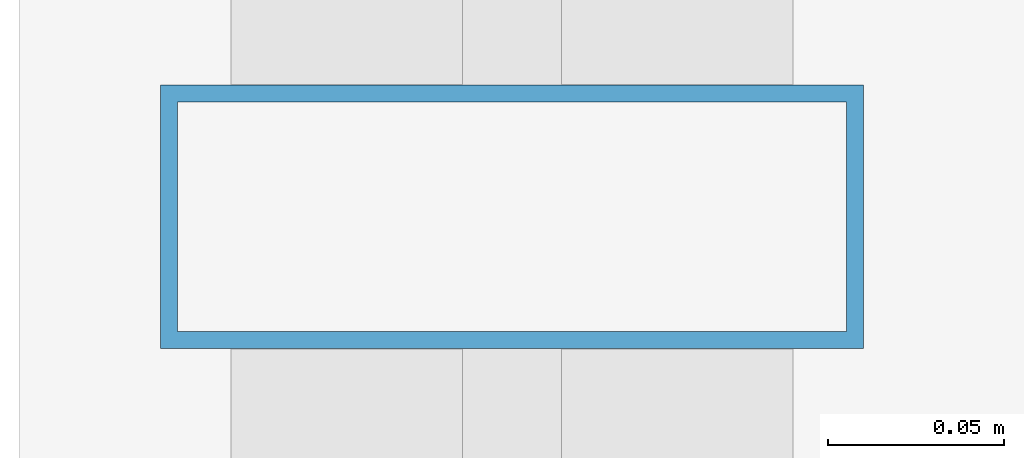
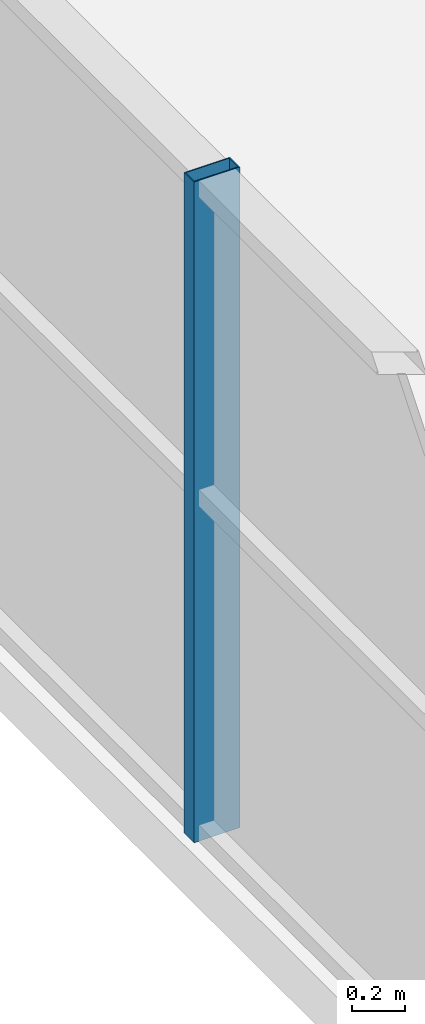
# One storey, part 8 of 29: 1 member, 1 element without a shape of its own.
"""IFC4 building model written with IfcOpenShell, lengths in metres."""

import ifcopenshell
import ifcopenshell.guid

model = None  # the IFC model being written
_history = None  # IfcOwnerHistory: only IFC2X3 demands one
_inside = {}  # id of a spatial element -> (the spatial element, [elements in it])
_under = {}  # id of a project, library or spatial element -> (it, [spatial elements below it])
_declared = {}  # id of a project -> (the project, [libraries it declares])
_typed = {}  # id of a type object -> (the type object, [elements of that type])
_made_of = {}  # id of a material, layer set ... -> (it, [elements and type objects made of it])


def new_model(schema):
    """Start an empty IFC model of exactly this schema.

    Asked for "IFC4X3", IfcOpenShell would pick the latest addendum, in which some entities
    have other attributes; the version numbers below select the first issue.
    IFC2X3 requires an IfcOwnerHistory on every rooted entity: one is made here for all.
    """
    global model, _history
    if schema == "IFC4X3":
        model = ifcopenshell.file(schema_version=(4, 3, 0, 0))
    else:
        model = ifcopenshell.file(schema=schema)
    _inside.clear()
    _under.clear()
    _declared.clear()
    _typed.clear()
    _made_of.clear()
    _history = None
    if model.schema == "IFC2X3":
        org = make("IfcOrganization", Name="unknown")
        user = make(
            "IfcPersonAndOrganization",
            ThePerson=make("IfcPerson", FamilyName="unknown"),
            TheOrganization=org,
        )
        app = make(
            "IfcApplication",
            ApplicationDeveloper=org,
            Version="unknown",
            ApplicationFullName="unknown",
            ApplicationIdentifier="unknown",
        )
        _history = make(
            "IfcOwnerHistory",
            OwningUser=user,
            OwningApplication=app,
            ChangeAction="ADDED",
            CreationDate=0,
        )
    return model


def make(cls, **values):
    """One entity of the class cls with the attributes given. An attribute that is None is left unset."""
    return model.create_entity(
        cls, **{name: value for name, value in values.items() if value is not None}
    )


def rooted(cls, **values):
    """An entity with a GlobalId (a new one), such as an element, a storey or a relation."""
    return make(cls, GlobalId=ifcopenshell.guid.new(), OwnerHistory=_history, **values)


def si_unit(unit_type, name, prefix=None):
    """IfcSIUnit, for example si_unit("LENGTHUNIT", "METRE", prefix="MILLI")."""
    return make("IfcSIUnit", UnitType=unit_type, Prefix=prefix, Name=name)


def assignment(units):
    """IfcUnitAssignment: the units of a project."""
    return None if units is None else make("IfcUnitAssignment", Units=units)


def point(xyz):
    """IfcCartesianPoint."""
    return None if xyz is None else make("IfcCartesianPoint", Coordinates=xyz)


def direction(xyz):
    """IfcDirection."""
    return None if xyz is None else make("IfcDirection", DirectionRatios=xyz)


def frame(location, z_axis=None, x_axis=None):
    """IfcAxis2Placement3D, a coordinate frame: its origin and axes. An axis left out is left unset."""
    return make(
        "IfcAxis2Placement3D",
        Location=point(location),
        Axis=direction(z_axis),
        RefDirection=direction(x_axis),
    )


def frame_2d(location, x_axis=None):
    """IfcAxis2Placement2D, a coordinate frame in the plane: its origin and x axis."""
    return make(
        "IfcAxis2Placement2D", Location=point(location), RefDirection=direction(x_axis)
    )


def origin():
    """The frame at (0, 0, 0) with its axes left unset."""
    return frame((0.0, 0.0, 0.0))


def origin_2d():
    """The frame at (0, 0) in the plane with its x axis left unset."""
    return frame_2d((0.0, 0.0))


def place(relative_to, where):
    """IfcLocalPlacement: puts the frame where relative to a parent placement (None: the world)."""
    return make(
        "IfcLocalPlacement", PlacementRelTo=relative_to, RelativePlacement=where
    )


def context(
    kind, dimensions, precision=None, world=None, true_north=None, identifier=None
):
    """IfcGeometricRepresentationContext, for example the 3D "Model" context."""
    return make(
        "IfcGeometricRepresentationContext",
        ContextIdentifier=identifier,
        ContextType=kind,
        CoordinateSpaceDimension=dimensions,
        Precision=precision,
        WorldCoordinateSystem=world,
        TrueNorth=true_north,
    )


def subcontext(parent, identifier, kind, view, scale=None):
    """IfcGeometricRepresentationSubContext, for example "Body" below "Model"."""
    return make(
        "IfcGeometricRepresentationSubContext",
        ContextIdentifier=identifier,
        ContextType=kind,
        ParentContext=parent,
        TargetScale=scale,
        TargetView=view,
    )


def project(units=None, contexts=None):
    """IfcProject with its units and contexts."""
    return rooted(
        "IfcProject",
        Name="project",
        RepresentationContexts=contexts,
        UnitsInContext=assignment(units),
    )


def spatial(cls, under=None, at=None, **own):
    """A site, building, storey or space (cls), placed at a placement, below another one or the project."""
    s = rooted(cls, ObjectPlacement=at, **own)
    if under is not None:
        _under.setdefault(under.id(), (under, []))[1].append(s)
    return s


def profile(cls, at=None, kind="AREA", **sizes):
    """A parametric profile (cls). Its sizes go by their IFC names, for example OverallWidth=200.0."""
    return make(cls, ProfileType=kind, Position=at, **sizes)


def hollow_rectangle(**sizes):
    """IfcRectangleHollowProfileDef."""
    return profile("IfcRectangleHollowProfileDef", **sizes)


def extrude(swept, where, along, depth):
    """IfcExtrudedAreaSolid: the profile swept, set in the frame where, extruded along a direction by depth."""
    return make(
        "IfcExtrudedAreaSolid",
        SweptArea=swept,
        Position=where,
        ExtrudedDirection=direction(along),
        Depth=depth,
    )


def shape(context_of_items, identifier, shape_type, items):
    """IfcShapeRepresentation: the items that make up one representation, for example the "Body"."""
    return make(
        "IfcShapeRepresentation",
        ContextOfItems=context_of_items,
        RepresentationIdentifier=identifier,
        RepresentationType=shape_type,
        Items=items,
    )


def source(mapping_origin, context_of_items, identifier, shape_type, items):
    """IfcRepresentationMap: a shape defined once, which mapped items show again and again."""
    return make(
        "IfcRepresentationMap",
        MappingOrigin=mapping_origin,
        MappedRepresentation=shape(context_of_items, identifier, shape_type, items),
    )


def transform(
    local_origin,
    x_axis=None,
    y_axis=None,
    z_axis=None,
    scale=None,
    scale2=None,
    scale3=None,
    uniform=True,
):
    """IfcCartesianTransformationOperator3D, or its non-uniform kind. x_axis, y_axis, z_axis: its Axis1, 2, 3."""
    if uniform:
        return make(
            "IfcCartesianTransformationOperator3D",
            Axis1=direction(x_axis),
            Axis2=direction(y_axis),
            LocalOrigin=point(local_origin),
            Scale=scale,
            Axis3=direction(z_axis),
        )
    return make(
        "IfcCartesianTransformationOperator3DnonUniform",
        Axis1=direction(x_axis),
        Axis2=direction(y_axis),
        LocalOrigin=point(local_origin),
        Scale=scale,
        Axis3=direction(z_axis),
        Scale2=scale2,
        Scale3=scale3,
    )


def mapped(mapping_source, mapping_target):
    """IfcMappedItem: shows the shape of a source again, moved by a transform."""
    return make(
        "IfcMappedItem", MappingSource=mapping_source, MappingTarget=mapping_target
    )


def material(Name=None, Category=None):
    """IfcMaterial."""
    return make("IfcMaterial", Name=Name, Category=Category)


def layer(
    of_material, thickness, ventilated=None, Name=None, Category=None, Priority=None
):
    """IfcMaterialLayer: one layer of a wall or slab, of a material (None: an air gap)."""
    return make(
        "IfcMaterialLayer",
        Material=of_material,
        LayerThickness=thickness,
        IsVentilated=ventilated,
        Name=Name,
        Category=Category,
        Priority=Priority,
    )


def layer_set(layers, Name=None):
    """IfcMaterialLayerSet."""
    return make("IfcMaterialLayerSet", MaterialLayers=layers, LayerSetName=Name)


def material_profile(
    of_material, cross_section, Name=None, Category=None, Priority=None
):
    """IfcMaterialProfile: a cross section and its material."""
    return make(
        "IfcMaterialProfile",
        Name=Name,
        Material=of_material,
        Profile=cross_section,
        Priority=Priority,
        Category=Category,
    )


def profile_set(profiles, Name=None, composite=None):
    """IfcMaterialProfileSet."""
    return make(
        "IfcMaterialProfileSet",
        Name=Name,
        MaterialProfiles=profiles,
        CompositeProfile=composite,
    )


def made_of(thing, what):
    """Note that an element or type object is made of a material, layer set ...; save() writes the relation."""
    if what is not None:
        _made_of.setdefault(what.id(), (what, []))[1].append(thing)
    return thing


def type_object(cls, material=None, **own):
    """A type object (cls), such as IfcWallType, which elements share."""
    return made_of(rooted(cls, **own), material)


def element(
    cls,
    number,
    at=None,
    inside=None,
    cuts=None,
    type_object=None,
    material=None,
    context=None,
    identifier="Body",
    shape_type=None,
    held_by="IfcProductDefinitionShape",
    body=None,
    shapes=None,
    **own,
):
    """One element of the class cls, such as IfcWall. Its Tag is "e" and its number.

    at: its placement. inside: the storey or other place that contains it. cuts: it is an
    opening in that element (IfcRelVoidsElement). A single representation is given by context,
    identifier, shape_type and body (its items); several are given by shapes. held_by: the class
    of the entity that holds the representations. save() writes the other relations.
    """
    e = rooted(cls, Tag="e%d" % number, ObjectPlacement=at, **own)
    if body is not None:
        shapes = [shape(context, identifier, shape_type, body)]
    if shapes is not None:
        e.Representation = make(held_by, Representations=shapes)
    if inside is not None:
        _inside.setdefault(inside.id(), (inside, []))[1].append(e)
    if cuts is not None:
        rooted(
            "IfcRelVoidsElement", RelatingBuildingElement=cuts, RelatedOpeningElement=e
        )
    if type_object is not None:
        _typed.setdefault(type_object.id(), (type_object, []))[1].append(e)
    return made_of(e, material)


def aggregate(whole, parts):
    """IfcRelAggregates: a whole, such as a stair, and the parts it consists of."""
    return rooted("IfcRelAggregates", RelatingObject=whole, RelatedObjects=parts)


def save(model, path):
    """Write the relations noted so far, then the file.

    IfcRelAggregates (storeys below a building ...), IfcRelContainedInSpatialStructure (elements
    in a storey), IfcRelDefinesByType, IfcRelAssociatesMaterial and IfcRelDeclares: one each for
    every whole, place, type object, material and project.
    """
    for whole, parts in _under.values():
        aggregate(whole, parts)
    for where, things in _inside.values():
        rooted(
            "IfcRelContainedInSpatialStructure",
            RelatedElements=things,
            RelatingStructure=where,
        )
    for kind, things in _typed.values():
        rooted("IfcRelDefinesByType", RelatedObjects=things, RelatingType=kind)
    for what, things in _made_of.values():
        rooted("IfcRelAssociatesMaterial", RelatedObjects=things, RelatingMaterial=what)
    for by, libraries in _declared.values():
        rooted("IfcRelDeclares", RelatingContext=by, RelatedDefinitions=libraries)
    model.write(path)


model = new_model("IFC4")

# Units and contexts
model_context = context("Model", 3, precision=1e-05, world=origin(), true_north=direction((0.0, 1.0)))
body_context = subcontext(model_context, "Body", "Model", "MODEL_VIEW")
ifc_project = project(units=[si_unit("LENGTHUNIT", "METRE"), si_unit("AREAUNIT", "SQUARE_METRE"), si_unit("VOLUMEUNIT", "CUBIC_METRE"), si_unit("PLANEANGLEUNIT", "RADIAN"), si_unit("MASSUNIT", "GRAM", prefix="KILO")], contexts=[model_context])

# Site, building, storey
site_placement = place(None, origin())
site = spatial("IfcSite", under=ifc_project, at=site_placement, CompositionType="ELEMENT")
building_placement = place(site_placement, origin())
building = spatial("IfcBuilding", under=site, at=building_placement, Name="Zarnakvel Exchange Tower", CompositionType="ELEMENT")
storey_placement = place(building_placement, frame((0.0, 0.0, 37.300048828125)))
storey = spatial("IfcBuildingStorey", under=building, at=storey_placement, Name="L09", CompositionType="ELEMENT", Elevation=37.300048828125)

# Curtain wall, member
ifc_material = material(Name="Architectural Bronze Anodised Aluminium", Category="aluminium")
ifc_layer = layer(ifc_material, 0.199951171875)
ifc_layer_set = layer_set([ifc_layer], Name="Architectural Bronze Anodised Aluminium")
curtain_wall_type = type_object("IfcCurtainWallType", Name="CW-04", PredefinedType="NOTDEFINED", material=ifc_layer_set)
curtain_wall_placement = place(storey_placement, origin())
curtain_wall = element("IfcCurtainWall", 1, at=curtain_wall_placement, inside=storey, type_object=curtain_wall_type, Name="L09 Curtain Wall CW-L09-W1 (CW-04)", PredefinedType="NOTDEFINED")
ifc_material_profile = material_profile(ifc_material, hollow_rectangle(XDim=0.199951171875, YDim=0.074951171875, WallThickness=0.0048828125, at=origin_2d()))
ifc_profile_set = profile_set([ifc_material_profile], Name="Architectural Bronze Anodised Aluminium")
member_type = type_object("IfcMemberType", Name="CWM-04", PredefinedType="MULLION", material=ifc_profile_set)
shared_shape = source(origin(), body_context, "Body", "SweptSolid", [
    extrude(hollow_rectangle(XDim=0.199951171875, YDim=0.074951171875, WallThickness=0.0048828125, at=origin_2d()), origin(), (0.0, 0.0, 1.0), 3.054931640625),
])
member_placement = place(storey_placement, frame((-32.4599609375, 0.0, 0.0), z_axis=(0.0, 0.0, 1.0), x_axis=(-1.0, 0.0, 0.0)))
member = element("IfcMember", 2, at=member_placement, type_object=member_type, Name="CW-04 mullion 3", PredefinedType="MULLION", context=body_context, shape_type="MappedRepresentation", body=[
    mapped(shared_shape, transform((0.0, 0.0, 0.0), x_axis=(1.0, 0.0, 0.0), y_axis=(0.0, 1.0, 0.0), z_axis=(0.0, 0.0, 1.0), scale=1.0)),
])
aggregate(curtain_wall, [member])

save(model, "model.ifc")
